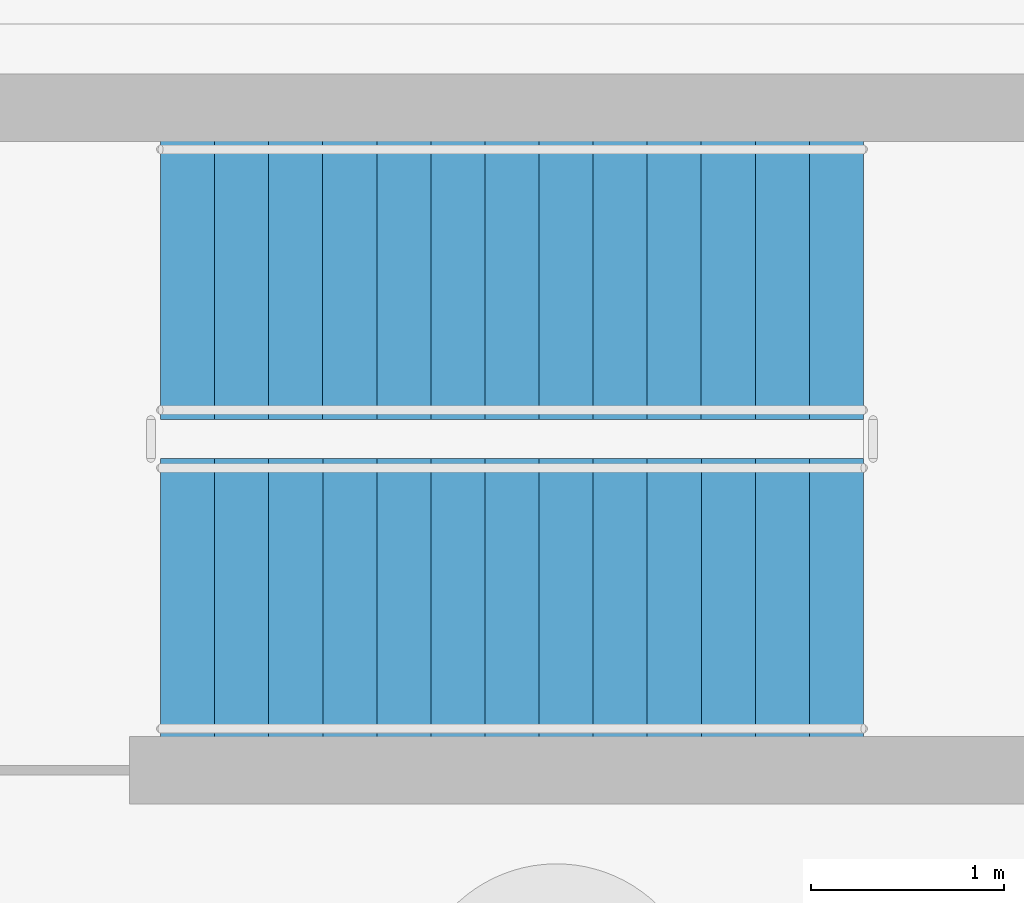
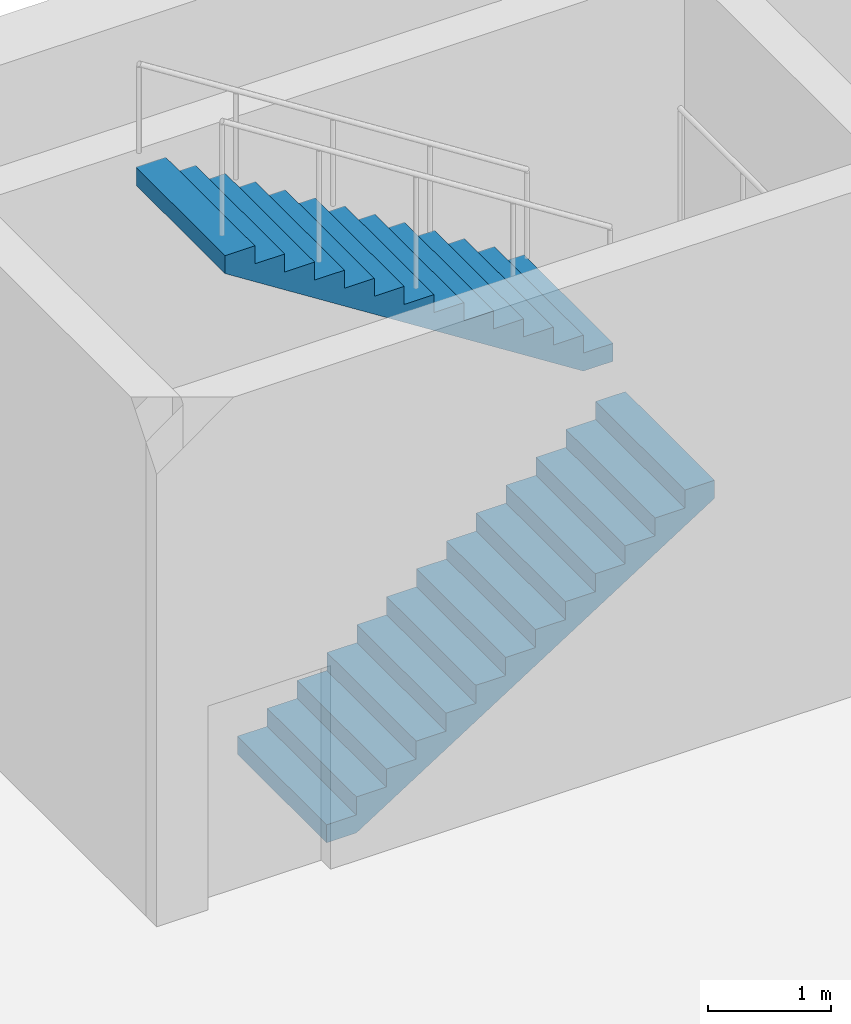
# One storey, part 10 of 15: 2 stair flights, 1 element without a shape of its own.
"""IFC4 building model written with IfcOpenShell, lengths in metres."""

from ifc_helpers import new_model, si_unit, direction, frame, origin, place, context, subcontext, project, spatial, polyline, outline, extrude, material, type_object, element, aggregate, save


model = new_model("IFC4")

# Units and contexts
model_context = context("Model", 3, precision=1e-05, world=origin(), true_north=direction((0.0, 1.0)))
body_context = subcontext(model_context, "Body", "Model", "MODEL_VIEW")
ifc_project = project(units=[si_unit("LENGTHUNIT", "METRE"), si_unit("AREAUNIT", "SQUARE_METRE"), si_unit("VOLUMEUNIT", "CUBIC_METRE"), si_unit("PLANEANGLEUNIT", "RADIAN"), si_unit("MASSUNIT", "GRAM", prefix="KILO")], contexts=[model_context])

# Site, building, storey
site_placement = place(None, origin())
site = spatial("IfcSite", under=ifc_project, at=site_placement, CompositionType="ELEMENT")
building_placement = place(site_placement, origin())
building = spatial("IfcBuilding", under=site, at=building_placement, Name="Cununo Teusaquillo Station Towers", CompositionType="ELEMENT")
storey_placement = place(building_placement, frame((0.0, 0.0, -10.0)))
storey = spatial("IfcBuildingStorey", under=building, at=storey_placement, Name="B02", CompositionType="ELEMENT", Elevation=-10.0)

# Stair, stair flights
ifc_material_1 = material(Name="Concrete C50/60", Category="concrete")
stair_type = type_object("IfcStairType", Name="ST-POD-1450", PredefinedType="HALF_TURN_STAIR", material=ifc_material_1)
stair_placement = place(storey_placement, origin())
stair = element("IfcStair", 1, at=stair_placement, inside=storey, type_object=stair_type, Name="B02 Station Podium North Protected Exit Stair", PredefinedType="HALF_TURN_STAIR")
ifc_material_2 = material(Name="Concrete C50/60", Category="concrete")
stair_flight_type = type_object("IfcStairFlightType", Name="SFL-POD-1450", PredefinedType="STRAIGHT", material=ifc_material_2)
stair_flight_1_placement = place(storey_placement, frame((27.050048828125, 43.324951171875, 0.0), z_axis=(0.0, 0.0, 1.0), x_axis=(1.0, 0.0, 0.0)))
stair_flight_1 = element("IfcStairFlight", 2, at=stair_flight_1_placement, type_object=stair_flight_type, Name="ST-POD-N flight 1", NumberOfRisers=14, NumberOfTreads=13, PredefinedType="STRAIGHT", RiserHeight=0.178571429, TreadLength=0.28, context=body_context, shape_type="SweptSolid", body=[
    extrude(outline(polyline([(0.0, 0.0), (0.0, 0.178466796875), (0.280029296875, 0.178466796875), (0.280029296875, 0.357177734375), (0.56005859375, 0.357177734375), (0.56005859375, 0.53564453125), (0.840087890625, 0.53564453125), (0.840087890625, 0.71435546875), (1.1201171875, 0.71435546875), (1.1201171875, 0.892822265625), (1.39990234375, 0.892822265625), (1.39990234375, 1.071533203125), (1.679931640625, 1.071533203125), (1.679931640625, 1.25), (1.9599609375, 1.25), (1.9599609375, 1.428466796875), (2.239990234375, 1.428466796875), (2.239990234375, 1.607177734375), (2.52001953125, 1.607177734375), (2.52001953125, 1.78564453125), (2.800048828125, 1.78564453125), (2.800048828125, 1.96435546875), (3.080078125, 1.96435546875), (3.080078125, 2.142822265625), (3.360107421875, 2.142822265625), (3.360107421875, 2.321533203125), (3.639892578125, 2.321533203125), (3.639892578125, 2.5), (3.639892578125, 2.1435546875), (0.27880859375, 0.0), (0.0, 0.0)])), frame((0.0, 0.72509765625, 0.0), z_axis=(0.0, -1.0, 0.0), x_axis=(1.0, 0.0, 0.0)), (0.0, 0.0, 1.0), 1.449951171875),
])
stair_flight_2_placement = place(storey_placement, frame((30.68994140625, 44.97509765625, 2.5), z_axis=(0.0, 0.0, 1.0), x_axis=(-1.0, 0.0, 0.0)))
stair_flight_2 = element("IfcStairFlight", 3, at=stair_flight_2_placement, type_object=stair_flight_type, Name="ST-POD-N flight 2", NumberOfRisers=14, NumberOfTreads=13, PredefinedType="STRAIGHT", RiserHeight=0.178571429, TreadLength=0.28, context=body_context, shape_type="SweptSolid", body=[
    extrude(outline(polyline([(0.0, 0.0), (0.0, 0.178466796875), (0.280029296875, 0.178466796875), (0.280029296875, 0.357177734375), (0.56005859375, 0.357177734375), (0.56005859375, 0.53564453125), (0.840087890625, 0.53564453125), (0.840087890625, 0.71435546875), (1.1201171875, 0.71435546875), (1.1201171875, 0.892822265625), (1.39990234375, 0.892822265625), (1.39990234375, 1.071533203125), (1.679931640625, 1.071533203125), (1.679931640625, 1.25), (1.9599609375, 1.25), (1.9599609375, 1.428466796875), (2.239990234375, 1.428466796875), (2.239990234375, 1.607177734375), (2.52001953125, 1.607177734375), (2.52001953125, 1.78564453125), (2.800048828125, 1.78564453125), (2.800048828125, 1.96435546875), (3.080078125, 1.96435546875), (3.080078125, 2.142822265625), (3.360107421875, 2.142822265625), (3.360107421875, 2.321533203125), (3.639892578125, 2.321533203125), (3.639892578125, 2.5), (3.639892578125, 2.1435546875), (0.27880859375, 0.0), (0.0, 0.0)])), frame((0.0, 0.72509765625, 0.0), z_axis=(0.0, -1.0, 0.0), x_axis=(1.0, 0.0, 0.0)), (0.0, 0.0, 1.0), 1.449951171875),
])
aggregate(stair, [stair_flight_1, stair_flight_2])

save(model, "model.ifc")
